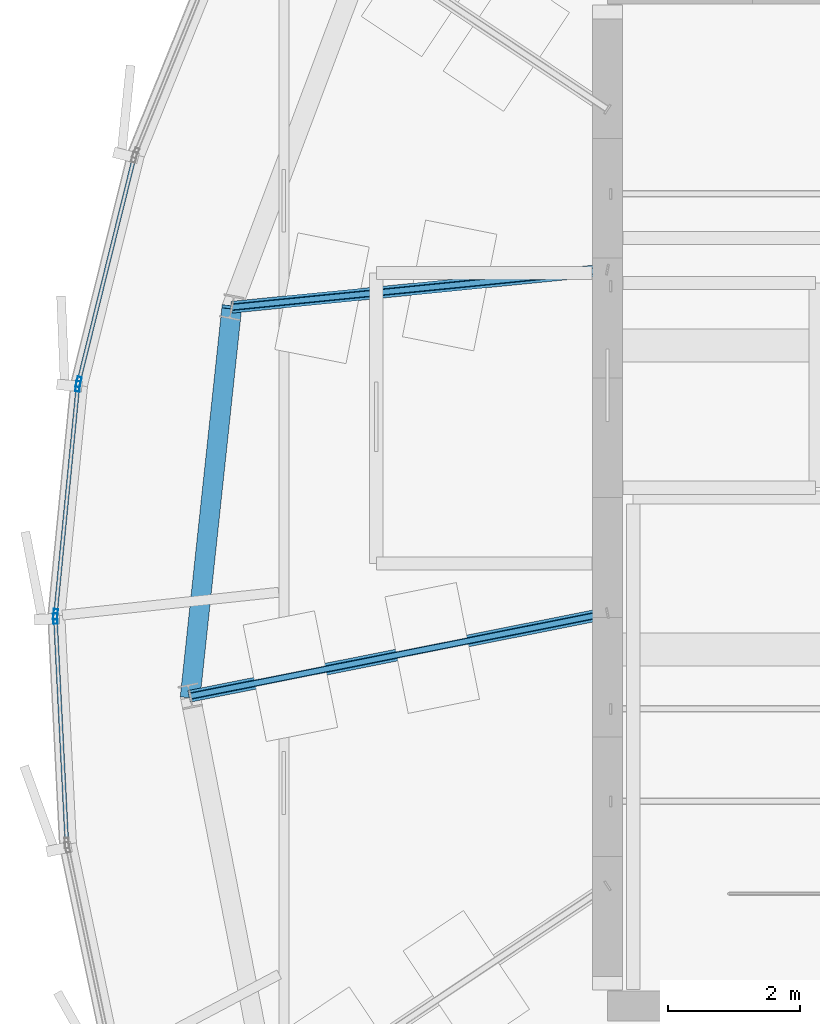
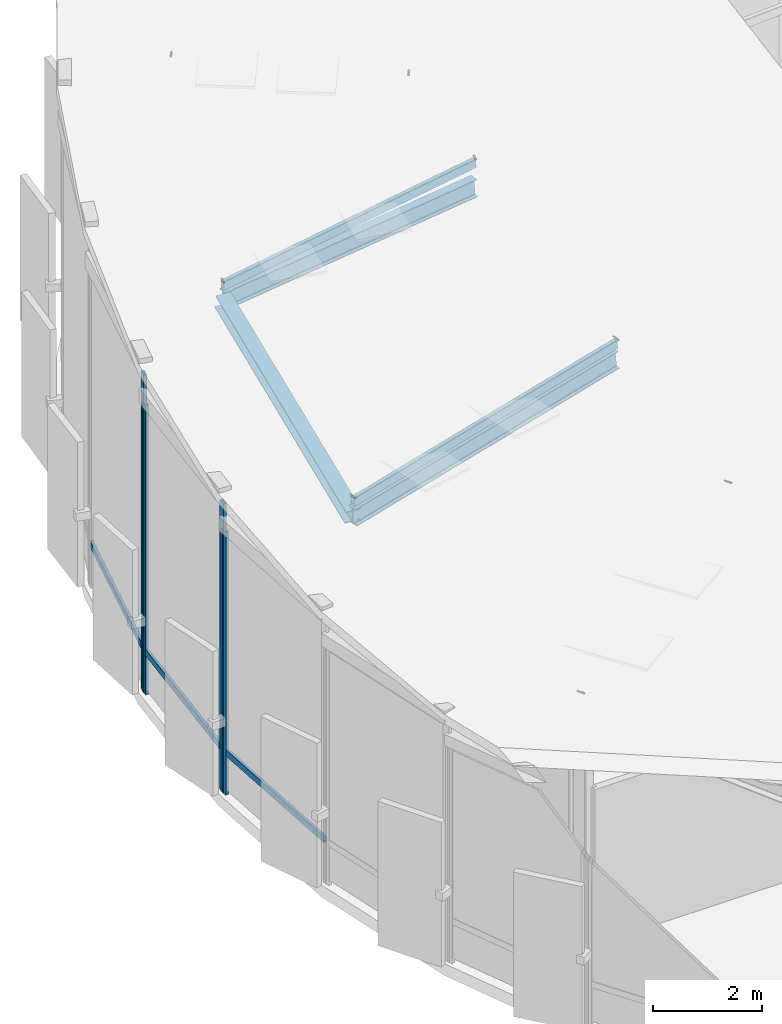
# One storey, part 10 of 36: 9 members, 3 beams, 3 elements without a shape of their own.
"""IFC4 building model written with IfcOpenShell, lengths in metres."""

from ifc_helpers import new_model, si_unit, direction, frame, origin, origin_2d, place, context, subcontext, project, spatial, hollow_rectangle, i_section, extrude, source, transform, mapped, material, layer, layer_set, material_profile, profile_set, type_object, element, aggregate, save


model = new_model("IFC4")

# Units and contexts
model_context = context("Model", 3, precision=1e-05, world=origin(), true_north=direction((0.0, 1.0)))
body_context = subcontext(model_context, "Body", "Model", "MODEL_VIEW")
ifc_project = project(units=[si_unit("LENGTHUNIT", "METRE"), si_unit("AREAUNIT", "SQUARE_METRE"), si_unit("VOLUMEUNIT", "CUBIC_METRE"), si_unit("PLANEANGLEUNIT", "RADIAN"), si_unit("MASSUNIT", "GRAM", prefix="KILO"), si_unit("THERMODYNAMICTEMPERATUREUNIT", "KELVIN")], contexts=[model_context])

# Site, building, storey
site_placement = place(None, origin())
site = spatial("IfcSite", under=ifc_project, at=site_placement, CompositionType="ELEMENT")
building_placement = place(site_placement, origin())
building = spatial("IfcBuilding", under=site, at=building_placement, Name="Kethvar Cultural Tower", CompositionType="ELEMENT")
storey_placement = place(building_placement, frame((0.0, 0.0, 324.300048828125)))
storey = spatial("IfcBuildingStorey", under=building, at=storey_placement, Name="L86", CompositionType="ELEMENT", Elevation=324.300048828125)

# Beams
ifc_material_1 = material(Name="Steel S355J2", Category="steel")
ifc_material_profile_1 = material_profile(ifc_material_1, i_section(OverallWidth=0.179931640625, OverallDepth=0.39990234375, WebThickness=0.008544921875, FlangeThickness=0.013427734375, FilletRadius=0.02099609375, at=origin_2d()), Name="Steel S355J2 — IPE400")
ifc_profile_set_1 = profile_set([ifc_material_profile_1], Name="Steel S355J2 — IPE400")
beam_type_1 = type_object("IfcBeamType", Name="BM-IPE400", PredefinedType="BEAM", material=ifc_profile_set_1)
shared_shape_1 = source(origin(), body_context, "Body", "SweptSolid", [
    extrude(i_section(OverallWidth=0.179931640625, OverallDepth=0.39990234375, WebThickness=0.008544921875, FlangeThickness=0.013427734375, FilletRadius=0.02099609375, at=origin_2d()), origin(), (0.0, 0.0, 1.0), 5.719970703125),
])
beam_1_placement = place(storey_placement, frame((38.0, 31.25, 7.505859375), z_axis=(-0.994331584586, -0.099322183951, -0.037944744965), x_axis=(0.099393763478, -0.995048179628, 0.0)))
element("IfcBeam", 1, at=beam_1_placement, inside=storey, type_object=beam_type_1, Name="Crown Sloped Radial Rafter RB-08", PredefinedType="BEAM", context=body_context, shape_type="MappedRepresentation", body=[
    mapped(shared_shape_1, transform((0.0, 0.0, 0.0), scale=1.0)),
])
ifc_material_profile_2 = material_profile(ifc_material_1, i_section(OverallWidth=0.300048828125, OverallDepth=0.300048828125, WebThickness=0.010986328125, FlangeThickness=0.01904296875, FilletRadius=0.027099609375, at=origin_2d()), Name="Steel S355J2 — HEB300")
ifc_profile_set_2 = profile_set([ifc_material_profile_2], Name="Steel S355J2 — HEB300")
beam_type_2 = type_object("IfcBeamType", Name="BM-SP300", PredefinedType="SPANDREL", material=ifc_profile_set_2)
shared_shape_2 = source(origin(), body_context, "Body", "SweptSolid", [
    extrude(i_section(OverallWidth=0.300048828125, OverallDepth=0.300048828125, WebThickness=0.010986328125, FlangeThickness=0.01904296875, FilletRadius=0.027099609375, at=origin_2d()), origin(), (0.0, 0.0, 1.0), 6.018798828125),
])
beam_2_placement = place(storey_placement, frame((32.3125, 30.681884765625, 7.288818359375), z_axis=(-0.104572485831, -0.978430151564, -0.178154522021), x_axis=(0.994337034899, -0.106272578913, 0.0)))
element("IfcBeam", 2, at=beam_2_placement, inside=storey, type_object=beam_type_2, Name="Crown Sloped Eave Ring Beam SP-08", PredefinedType="SPANDREL", context=body_context, shape_type="MappedRepresentation", body=[
    mapped(shared_shape_2, transform((0.0, 0.0, 0.0), scale=1.0)),
])
shared_shape_3 = source(origin(), body_context, "Body", "SweptSolid", [
    extrude(i_section(OverallWidth=0.179931640625, OverallDepth=0.39990234375, WebThickness=0.008544921875, FlangeThickness=0.013427734375, FilletRadius=0.02099609375, at=origin_2d()), origin(), (0.0, 0.0, 1.0), 6.467041015625),
])
beam_3_placement = place(storey_placement, frame((38.0, 26.049560546875, 6.798828125), z_axis=(-0.976799111009, -0.194310312451, -0.090038876082), x_axis=(0.195102770839, -0.980782804096, 0.0)))
element("IfcBeam", 3, at=beam_3_placement, inside=storey, type_object=beam_type_1, Name="Crown Sloped Radial Rafter RB-09", PredefinedType="BEAM", context=body_context, shape_type="MappedRepresentation", body=[
    mapped(shared_shape_3, transform((0.0, 0.0, 0.0), scale=1.0)),
])

# Members
ifc_material_profile_3 = material_profile(ifc_material_1, hollow_rectangle(XDim=0.10009765625, YDim=0.199951171875, WallThickness=0.008056640625, InnerFilletRadius=0.008056640625, OuterFilletRadius=0.01611328125, at=origin_2d()), Name="Steel S355J2 — RHS200x100x8")
ifc_profile_set_3 = profile_set([ifc_material_profile_3], Name="Steel S355J2 — RHS200x100x8")
member_type_1 = type_object("IfcMemberType", Name="MB-GLAZ-200", PredefinedType="PURLIN", material=ifc_profile_set_3)
shared_shape_4 = source(origin(), body_context, "Body", "SweptSolid", [
    extrude(hollow_rectangle(XDim=0.10009765625, YDim=0.199951171875, WallThickness=0.008056640625, InnerFilletRadius=0.008056640625, OuterFilletRadius=0.01611328125, at=origin_2d()), origin(), (0.0, 0.0, 1.0), 5.731689453125),
])
member_1_placement = place(storey_placement, frame((38.0, 31.25, 8.033935546875), z_axis=(-0.992305107791, -0.099119762441, -0.074201386408), x_axis=(0.099393763478, -0.995048179628, 0.0)))
element("IfcMember", 4, at=member_1_placement, inside=storey, type_object=member_type_1, Name="Sloped Crown Skylight Glazing Mullion Bar GB-08", PredefinedType="PURLIN", context=body_context, shape_type="MappedRepresentation", body=[
    mapped(shared_shape_4, transform((0.0, 0.0, 0.0), scale=1.0)),
])
shared_shape_5 = source(origin(), body_context, "Body", "SweptSolid", [
    extrude(hollow_rectangle(XDim=0.10009765625, YDim=0.199951171875, WallThickness=0.008056640625, InnerFilletRadius=0.008056640625, OuterFilletRadius=0.01611328125, at=origin_2d()), origin(), (0.0, 0.0, 1.0), 6.467041015625),
])
member_2_placement = place(storey_placement, frame((38.0, 26.049560546875, 7.118896484375), z_axis=(-0.976799111009, -0.194310312451, -0.090038876082), x_axis=(0.195102770839, -0.980782804096, 0.0)))
element("IfcMember", 5, at=member_2_placement, inside=storey, type_object=member_type_1, Name="Sloped Crown Skylight Glazing Mullion Bar GB-09", PredefinedType="PURLIN", context=body_context, shape_type="MappedRepresentation", body=[
    mapped(shared_shape_5, transform((0.0, 0.0, 0.0), scale=1.0)),
])

# Curtain wall, members
ifc_material_2 = material(Name="Aluminium 6063-T6", Category="aluminium")
ifc_layer = layer(ifc_material_2, 0.179931640625, Name="Aluminium 6063-T6", Category="aluminium")
ifc_layer_set = layer_set([ifc_layer], Name="Aluminium 6063-T6 (180 mm)")
curtain_wall_type = type_object("IfcCurtainWallType", Name="CW-SYS-06-CROWN", PredefinedType="NOTDEFINED", material=ifc_layer_set)
curtain_wall_1_placement = place(storey_placement, origin())
curtain_wall_1 = element("IfcCurtainWall", 6, at=curtain_wall_1_placement, inside=storey, type_object=curtain_wall_type, Name="L86 Curtain Wall Run 10", PredefinedType="NOTDEFINED")
ifc_material_profile_4 = material_profile(ifc_material_2, hollow_rectangle(XDim=0.06494140625, YDim=0.159912109375, WallThickness=0.0048828125, at=origin_2d()), Name="Aluminium 6063-T6 — RHS160x65x5")
ifc_profile_set_4 = profile_set([ifc_material_profile_4], Name="Aluminium 6063-T6 — RHS160x65x5")
member_type_2 = type_object("IfcMemberType", Name="CW-SYS-06-CROWN-MUL", PredefinedType="MULLION", material=ifc_profile_set_4)
shared_shape_6 = source(origin(), body_context, "Body", "SweptSolid", [
    extrude(hollow_rectangle(XDim=0.06494140625, YDim=0.159912109375, WallThickness=0.0048828125, at=origin_2d()), origin(), (0.0, 0.0, 1.0), 7.147705078125),
])
member_3_placement = place(storey_placement, frame((29.99267578125, 29.550537109375, 0.0), z_axis=(0.0, 0.0, 1.0), x_axis=(0.970724866527, -0.240194157934, 0.0)))
member_3 = element("IfcMember", 7, at=member_3_placement, type_object=member_type_2, Name="CW-L86-R10 Mullion 2", PredefinedType="MULLION", context=body_context, shape_type="MappedRepresentation", body=[
    mapped(shared_shape_6, transform((0.0, 0.0, 0.0), scale=1.0)),
])
ifc_material_profile_5 = material_profile(ifc_material_2, hollow_rectangle(XDim=0.06005859375, YDim=0.139892578125, WallThickness=0.0048828125, at=origin_2d()), Name="Aluminium 6063-T6 — RHS140x60x5")
ifc_profile_set_5 = profile_set([ifc_material_profile_5], Name="Aluminium 6063-T6 — RHS140x60x5")
member_type_3 = type_object("IfcMemberType", Name="CW-SYS-06-CROWN-TRN", PredefinedType="USERDEFINED", material=ifc_profile_set_5)
shared_shape_7 = source(origin(), body_context, "Body", "SweptSolid", [
    extrude(hollow_rectangle(XDim=0.06005859375, YDim=0.139892578125, WallThickness=0.0048828125, at=origin_2d()), origin(), (0.0, 0.0, 1.0), 3.4951171875),
])
member_4_placement = place(storey_placement, frame((30.833251953125, 32.94775390625, 0.949951171875), z_axis=(-0.240151702132, -0.970735370718, 0.0), x_axis=(0.970735370718, -0.240151702132, 0.0)))
member_4 = element("IfcMember", 8, at=member_4_placement, type_object=member_type_3, Name="CW-L86-R10 Transom 1", ObjectType="TRANSOM", PredefinedType="USERDEFINED", context=body_context, shape_type="MappedRepresentation", body=[
    mapped(shared_shape_7, transform((0.0, 0.0, 0.0), scale=1.0)),
])
aggregate(curtain_wall_1, [member_3, member_4])

curtain_wall_2_placement = place(storey_placement, origin())
curtain_wall_2 = element("IfcCurtainWall", 9, at=curtain_wall_2_placement, inside=storey, type_object=curtain_wall_type, Name="L86 Curtain Wall Run 11", PredefinedType="NOTDEFINED")
shared_shape_8 = source(origin(), body_context, "Body", "SweptSolid", [
    extrude(hollow_rectangle(XDim=0.06494140625, YDim=0.159912109375, WallThickness=0.0048828125, at=origin_2d()), origin(), (0.0, 0.0, 1.0), 6.505615234375),
])
member_5_placement = place(storey_placement, frame((29.9814453125, 29.484619140625, 0.0), z_axis=(0.0, 0.0, 1.0), x_axis=(0.995206940439, -0.097791337557, 0.0)))
member_5 = element("IfcMember", 10, at=member_5_placement, type_object=member_type_2, Name="CW-L86-R11 Mullion 1", PredefinedType="MULLION", context=body_context, shape_type="MappedRepresentation", body=[
    mapped(shared_shape_8, transform((0.0, 0.0, 0.0), scale=1.0)),
])
member_6_placement = place(storey_placement, frame((29.64208984375, 26.031982421875, 0.0), z_axis=(0.0, 0.0, 1.0), x_axis=(0.995206940439, -0.097791337557, 0.0)))
member_6 = element("IfcMember", 11, at=member_6_placement, type_object=member_type_2, Name="CW-L86-R11 Mullion 2", PredefinedType="MULLION", context=body_context, shape_type="MappedRepresentation", body=[
    mapped(shared_shape_8, transform((0.0, 0.0, 0.0), scale=1.0)),
])
shared_shape_9 = source(origin(), body_context, "Body", "SweptSolid", [
    extrude(hollow_rectangle(XDim=0.06005859375, YDim=0.139892578125, WallThickness=0.0048828125, at=origin_2d()), origin(), (0.0, 0.0, 1.0), 3.4599609375),
])
member_7_placement = place(storey_placement, frame((29.98095703125, 29.47998046875, 0.949951171875), z_axis=(-0.097798907294, -0.99520619659, 0.0), x_axis=(0.99520619659, -0.097798907294, 0.0)))
member_7 = element("IfcMember", 12, at=member_7_placement, type_object=member_type_3, Name="CW-L86-R11 Transom 1", ObjectType="TRANSOM", PredefinedType="USERDEFINED", context=body_context, shape_type="MappedRepresentation", body=[
    mapped(shared_shape_9, transform((0.0, 0.0, 0.0), scale=1.0)),
])
aggregate(curtain_wall_2, [member_5, member_6, member_7])

curtain_wall_3_placement = place(storey_placement, origin())
curtain_wall_3 = element("IfcCurtainWall", 13, at=curtain_wall_3_placement, inside=storey, type_object=curtain_wall_type, Name="L86 Curtain Wall Run 12", PredefinedType="NOTDEFINED")
shared_shape_10 = source(origin(), body_context, "Body", "SweptSolid", [
    extrude(hollow_rectangle(XDim=0.06494140625, YDim=0.159912109375, WallThickness=0.0048828125, at=origin_2d()), origin(), (0.0, 0.0, 1.0), 5.903076171875),
])
member_8_placement = place(storey_placement, frame((29.640625, 25.9658203125, 0.0), z_axis=(0.0, 0.0, 1.0), x_axis=(0.998700746821, 0.050958986433, 0.0)))
member_8 = element("IfcMember", 14, at=member_8_placement, type_object=member_type_2, Name="CW-L86-R12 Mullion 1", PredefinedType="MULLION", context=body_context, shape_type="MappedRepresentation", body=[
    mapped(shared_shape_10, transform((0.0, 0.0, 0.0), scale=1.0)),
])
shared_shape_11 = source(origin(), body_context, "Body", "SweptSolid", [
    extrude(hollow_rectangle(XDim=0.06005859375, YDim=0.139892578125, WallThickness=0.0048828125, at=origin_2d()), origin(), (0.0, 0.0, 1.0), 3.392822265625),
])
member_9_placement = place(storey_placement, frame((29.640869140625, 25.961181640625, 0.949951171875), z_axis=(0.050946076452, -0.998701405473, 0.0), x_axis=(0.998701405473, 0.050946076452, 0.0)))
member_9 = element("IfcMember", 15, at=member_9_placement, type_object=member_type_3, Name="CW-L86-R12 Transom 1", ObjectType="TRANSOM", PredefinedType="USERDEFINED", context=body_context, shape_type="MappedRepresentation", body=[
    mapped(shared_shape_11, transform((0.0, 0.0, 0.0), scale=1.0)),
])
aggregate(curtain_wall_3, [member_8, member_9])

save(model, "model.ifc")
